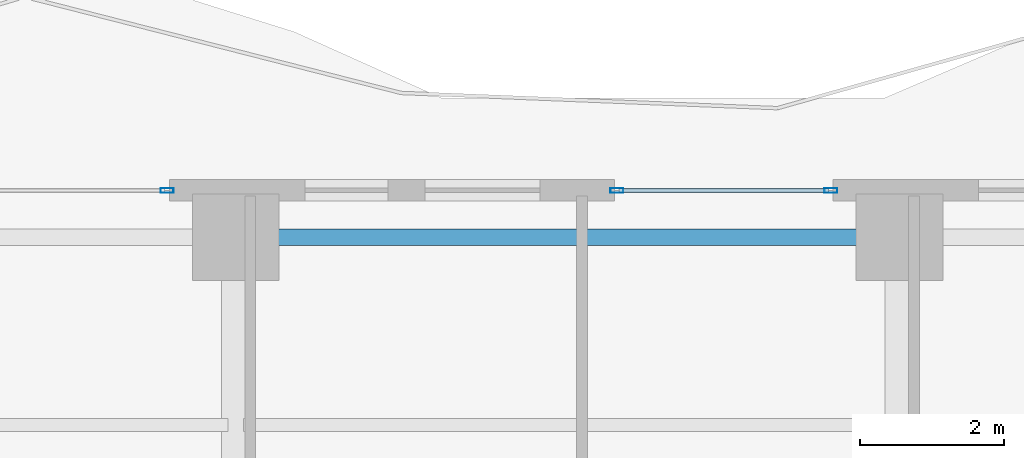
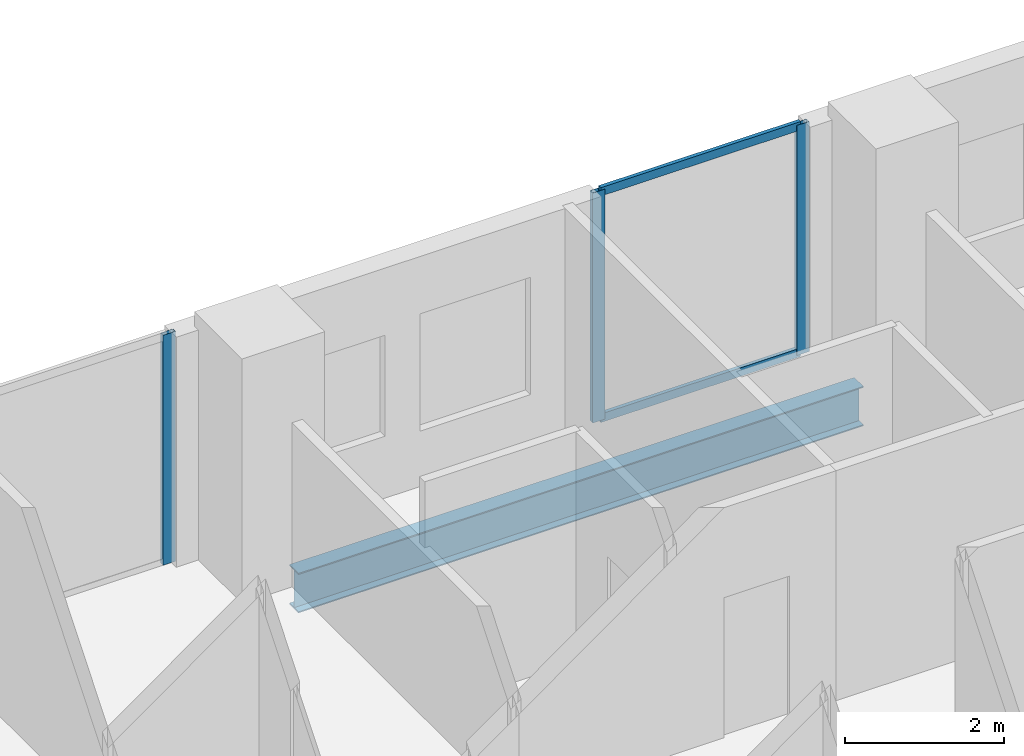
# One storey, part 19 of 33: 5 members, 1 beam, 2 elements without a shape of their own.
"""IFC4 building model written with IfcOpenShell, lengths in metres."""

from ifc_helpers import new_model, si_unit, direction, frame, origin, origin_2d, place, context, subcontext, project, spatial, hollow_rectangle, i_section, extrude, material, layer, layer_set, material_profile, profile_set, type_object, element, aggregate, save


model = new_model("IFC4")

# Units and contexts
model_context = context("Model", 3, precision=1e-05, world=origin(), true_north=direction((0.0, 1.0)))
body_context = subcontext(model_context, "Body", "Model", "MODEL_VIEW")
ifc_project = project(units=[si_unit("LENGTHUNIT", "METRE"), si_unit("AREAUNIT", "SQUARE_METRE"), si_unit("VOLUMEUNIT", "CUBIC_METRE"), si_unit("PLANEANGLEUNIT", "RADIAN"), si_unit("MASSUNIT", "GRAM", prefix="KILO")], contexts=[model_context])

# Site, building, storey
site_placement = place(None, origin())
site = spatial("IfcSite", under=ifc_project, at=site_placement, CompositionType="ELEMENT")
building_placement = place(site_placement, origin())
building = spatial("IfcBuilding", under=site, at=building_placement, Name="Zuhayl Quay Hotel", CompositionType="ELEMENT")
storey_placement = place(building_placement, frame((0.0, 0.0, 222.39990234375)))
storey = spatial("IfcBuildingStorey", under=building, at=storey_placement, Name="L56", CompositionType="ELEMENT", Elevation=222.39990234375)

# Beam
ifc_material_1 = material(Name="Steel ASTM A992 Grade 50", Category="steel")
ifc_material_profile_1 = material_profile(ifc_material_1, i_section(OverallWidth=0.22802734375, OverallDepth=0.60693359375, WebThickness=0.01123046875, FlangeThickness=0.017333984375, at=origin_2d()), Name="W24X76")
ifc_profile_set_1 = profile_set([ifc_material_profile_1], Name="Steel ASTM A992 Grade 50")
beam_type = type_object("IfcBeamType", Name="BM_B3_W24X76", PredefinedType="BEAM", material=ifc_profile_set_1)
beam_placement = place(storey_placement, frame((4.10009765625, 32.949951171875, -0.5234375), z_axis=(-1.0, 0.0, 0.0), x_axis=(0.0, -1.0, 0.0)))
element("IfcBeam", 1, at=beam_placement, inside=storey, type_object=beam_type, Name="L56 Floor Beam RG_L56_08", PredefinedType="BEAM", context=body_context, shape_type="SweptSolid", body=[
    extrude(i_section(OverallWidth=0.22802734375, OverallDepth=0.60693359375, WebThickness=0.01123046875, FlangeThickness=0.017333984375, at=origin_2d()), origin(), (0.0, 0.0, 1.0), 8.2001953125),
])

# Curtain wall, member
ifc_material_2 = material(Name="Anodised Aluminium 6063-T6", Category="aluminium")
ifc_layer = layer(ifc_material_2, 0.175048828125, Name="Anodised Aluminium 6063-T6", Category="aluminium")
ifc_layer_set = layer_set([ifc_layer], Name="Anodised Aluminium 6063-T6")
curtain_wall_type = type_object("IfcCurtainWallType", Name="CW_SYS_Z3", PredefinedType="USERDEFINED", material=ifc_layer_set)
curtain_wall_1_placement = place(storey_placement, origin())
curtain_wall_1 = element("IfcCurtainWall", 2, at=curtain_wall_1_placement, inside=storey, type_object=curtain_wall_type, Name="L56 Curtain Wall ENV_L56_N_CW3", ObjectType="UNITISED CURTAIN WALL", PredefinedType="USERDEFINED")
ifc_material_3 = material(Name="Black-anodised aluminium 6063-T6", Category="aluminium")
ifc_material_profile_2 = material_profile(ifc_material_3, hollow_rectangle(XDim=0.06494140625, YDim=0.179931640625, WallThickness=0.00341796875, at=origin_2d()), Name="ALU180X65")
ifc_profile_set_2 = profile_set([ifc_material_profile_2], Name="Black-anodised aluminium 6063-T6")
member_type_1 = type_object("IfcMemberType", Name="MB_CW_MUL_180", PredefinedType="MULLION", material=ifc_profile_set_2)
member_1_placement = place(storey_placement, frame((-5.552490234375, 33.60009765625, 0.0), z_axis=(0.0, 0.0, 1.0), x_axis=(0.0, 1.0, 0.0)))
member_1 = element("IfcMember", 3, at=member_1_placement, type_object=member_type_1, Name="CW-Z3 mullion 2", PredefinedType="MULLION", context=body_context, shape_type="SweptSolid", body=[
    extrude(hollow_rectangle(XDim=0.06494140625, YDim=0.179931640625, WallThickness=0.00341796875, at=origin_2d()), origin(), (0.0, 0.0, 1.0), 3.530029296875),
])
aggregate(curtain_wall_1, [member_1])

# Curtain wall, members
curtain_wall_2_placement = place(storey_placement, origin())
curtain_wall_2 = element("IfcCurtainWall", 4, at=curtain_wall_2_placement, inside=storey, type_object=curtain_wall_type, Name="L56 Curtain Wall ENV_L56_N_CW4", ObjectType="UNITISED CURTAIN WALL", PredefinedType="USERDEFINED")
member_2_placement = place(storey_placement, frame((0.6826171875, 33.60009765625, 0.0), z_axis=(0.0, 0.0, 1.0), x_axis=(0.0, 1.0, 0.0)))
member_2 = element("IfcMember", 5, at=member_2_placement, type_object=member_type_1, Name="CW-Z3 mullion 1", PredefinedType="MULLION", context=body_context, shape_type="SweptSolid", body=[
    extrude(hollow_rectangle(XDim=0.06494140625, YDim=0.179931640625, WallThickness=0.00341796875, at=origin_2d()), origin(), (0.0, 0.0, 1.0), 3.530029296875),
])
member_3_placement = place(storey_placement, frame((3.6474609375, 33.60009765625, 0.0), z_axis=(0.0, 0.0, 1.0), x_axis=(0.0, 1.0, 0.0)))
member_3 = element("IfcMember", 6, at=member_3_placement, type_object=member_type_1, Name="CW-Z3 mullion 2", PredefinedType="MULLION", context=body_context, shape_type="SweptSolid", body=[
    extrude(hollow_rectangle(XDim=0.06494140625, YDim=0.179931640625, WallThickness=0.00341796875, at=origin_2d()), origin(), (0.0, 0.0, 1.0), 3.530029296875),
])
ifc_material_profile_3 = material_profile(ifc_material_3, hollow_rectangle(XDim=0.054931640625, YDim=0.1298828125, WallThickness=0.0029296875, at=origin_2d()), Name="ALU130X55")
ifc_profile_set_3 = profile_set([ifc_material_profile_3], Name="Black-anodised aluminium 6063-T6")
member_type_2 = type_object("IfcMemberType", Name="MB_CW_TRN_130", PredefinedType="USERDEFINED", material=ifc_profile_set_3)
member_4_placement = place(storey_placement, frame((0.715087890625, 33.60009765625, 0.027587890625), z_axis=(1.0, 0.0, 0.0), x_axis=(0.0, 1.0, 0.0)))
member_4 = element("IfcMember", 7, at=member_4_placement, type_object=member_type_2, Name="CW-Z3 transom 1.1", ObjectType="TRANSOM", PredefinedType="USERDEFINED", context=body_context, shape_type="SweptSolid", body=[
    extrude(hollow_rectangle(XDim=0.054931640625, YDim=0.1298828125, WallThickness=0.0029296875, at=origin_2d()), origin(), (0.0, 0.0, 1.0), 2.89990234375),
])
member_5_placement = place(storey_placement, frame((0.715087890625, 33.60009765625, 3.502685546875), z_axis=(1.0, 0.0, 0.0), x_axis=(0.0, 1.0, 0.0)))
member_5 = element("IfcMember", 8, at=member_5_placement, type_object=member_type_2, Name="CW-Z3 transom 1.2", ObjectType="TRANSOM", PredefinedType="USERDEFINED", context=body_context, shape_type="SweptSolid", body=[
    extrude(hollow_rectangle(XDim=0.054931640625, YDim=0.1298828125, WallThickness=0.0029296875, at=origin_2d()), origin(), (0.0, 0.0, 1.0), 2.89990234375),
])
aggregate(curtain_wall_2, [member_2, member_3, member_4, member_5])

save(model, "model.ifc")
